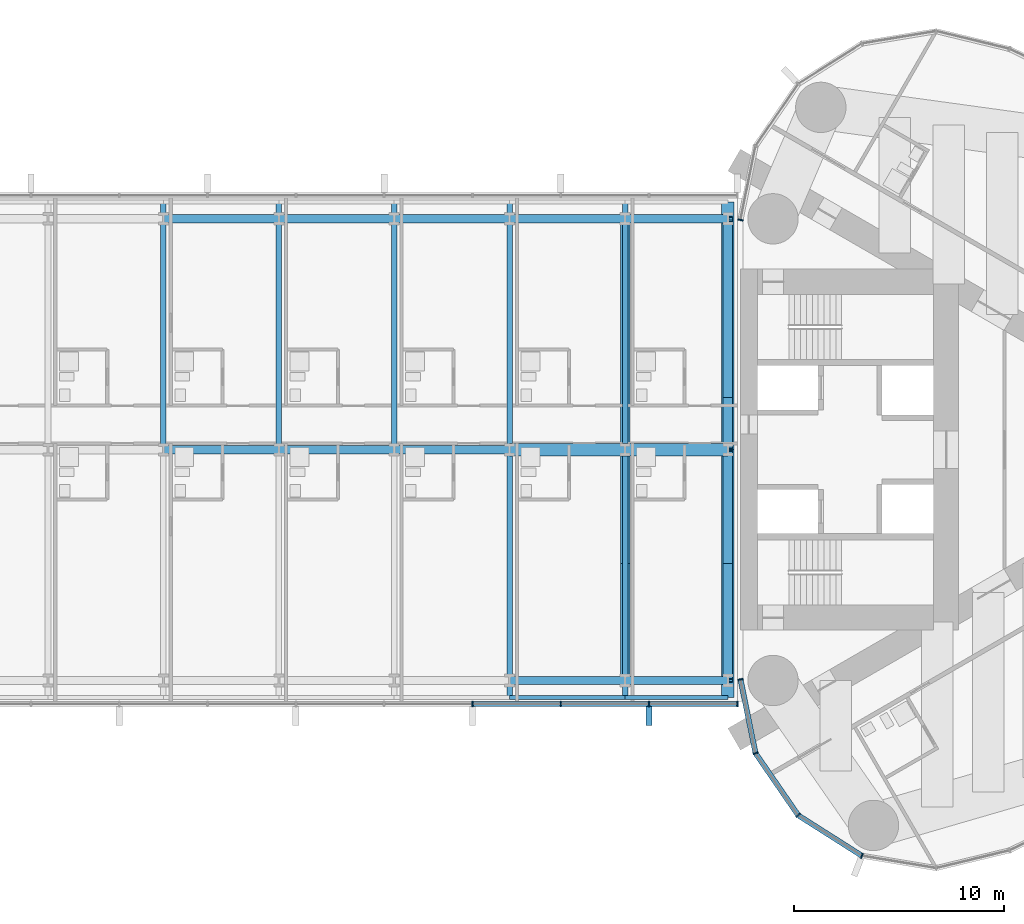
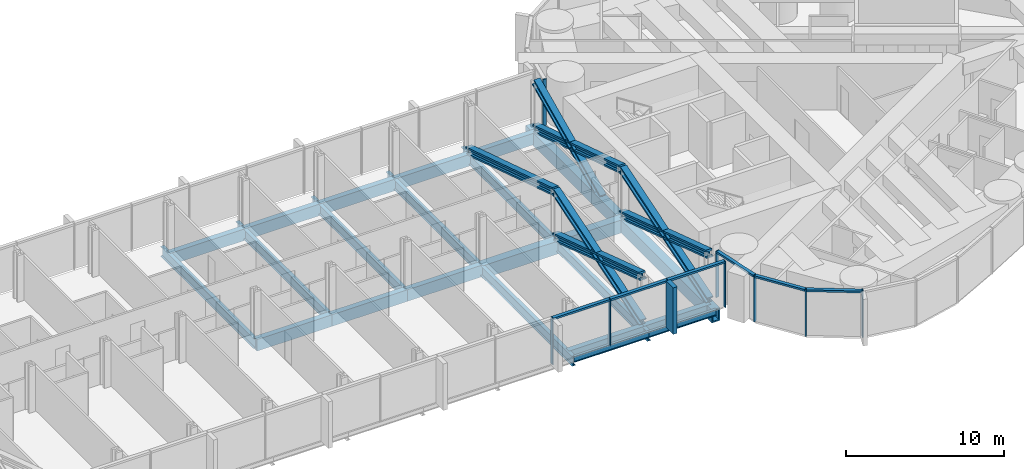
# One storey, part 7 of 23: 23 beams, 23 members, 2 elements without a shape of their own.
"""IFC4 building model written with IfcOpenShell, lengths in metres."""

import ifcopenshell
import ifcopenshell.guid

model = None  # the IFC model being written
_history = None  # IfcOwnerHistory: only IFC2X3 demands one
_inside = {}  # id of a spatial element -> (the spatial element, [elements in it])
_under = {}  # id of a project, library or spatial element -> (it, [spatial elements below it])
_declared = {}  # id of a project -> (the project, [libraries it declares])
_typed = {}  # id of a type object -> (the type object, [elements of that type])
_made_of = {}  # id of a material, layer set ... -> (it, [elements and type objects made of it])


def new_model(schema):
    """Start an empty IFC model of exactly this schema.

    Asked for "IFC4X3", IfcOpenShell would pick the latest addendum, in which some entities
    have other attributes; the version numbers below select the first issue.
    IFC2X3 requires an IfcOwnerHistory on every rooted entity: one is made here for all.
    """
    global model, _history
    if schema == "IFC4X3":
        model = ifcopenshell.file(schema_version=(4, 3, 0, 0))
    else:
        model = ifcopenshell.file(schema=schema)
    _inside.clear()
    _under.clear()
    _declared.clear()
    _typed.clear()
    _made_of.clear()
    _history = None
    if model.schema == "IFC2X3":
        org = make("IfcOrganization", Name="unknown")
        user = make(
            "IfcPersonAndOrganization",
            ThePerson=make("IfcPerson", FamilyName="unknown"),
            TheOrganization=org,
        )
        app = make(
            "IfcApplication",
            ApplicationDeveloper=org,
            Version="unknown",
            ApplicationFullName="unknown",
            ApplicationIdentifier="unknown",
        )
        _history = make(
            "IfcOwnerHistory",
            OwningUser=user,
            OwningApplication=app,
            ChangeAction="ADDED",
            CreationDate=0,
        )
    return model


def make(cls, **values):
    """One entity of the class cls with the attributes given. An attribute that is None is left unset."""
    return model.create_entity(
        cls, **{name: value for name, value in values.items() if value is not None}
    )


def rooted(cls, **values):
    """An entity with a GlobalId (a new one), such as an element, a storey or a relation."""
    return make(cls, GlobalId=ifcopenshell.guid.new(), OwnerHistory=_history, **values)


def si_unit(unit_type, name, prefix=None):
    """IfcSIUnit, for example si_unit("LENGTHUNIT", "METRE", prefix="MILLI")."""
    return make("IfcSIUnit", UnitType=unit_type, Prefix=prefix, Name=name)


def assignment(units):
    """IfcUnitAssignment: the units of a project."""
    return None if units is None else make("IfcUnitAssignment", Units=units)


def point(xyz):
    """IfcCartesianPoint."""
    return None if xyz is None else make("IfcCartesianPoint", Coordinates=xyz)


def direction(xyz):
    """IfcDirection."""
    return None if xyz is None else make("IfcDirection", DirectionRatios=xyz)


def frame(location, z_axis=None, x_axis=None):
    """IfcAxis2Placement3D, a coordinate frame: its origin and axes. An axis left out is left unset."""
    return make(
        "IfcAxis2Placement3D",
        Location=point(location),
        Axis=direction(z_axis),
        RefDirection=direction(x_axis),
    )


def frame_2d(location, x_axis=None):
    """IfcAxis2Placement2D, a coordinate frame in the plane: its origin and x axis."""
    return make(
        "IfcAxis2Placement2D", Location=point(location), RefDirection=direction(x_axis)
    )


def origin():
    """The frame at (0, 0, 0) with its axes left unset."""
    return frame((0.0, 0.0, 0.0))


def origin_2d():
    """The frame at (0, 0) in the plane with its x axis left unset."""
    return frame_2d((0.0, 0.0))


def place(relative_to, where):
    """IfcLocalPlacement: puts the frame where relative to a parent placement (None: the world)."""
    return make(
        "IfcLocalPlacement", PlacementRelTo=relative_to, RelativePlacement=where
    )


def context(
    kind, dimensions, precision=None, world=None, true_north=None, identifier=None
):
    """IfcGeometricRepresentationContext, for example the 3D "Model" context."""
    return make(
        "IfcGeometricRepresentationContext",
        ContextIdentifier=identifier,
        ContextType=kind,
        CoordinateSpaceDimension=dimensions,
        Precision=precision,
        WorldCoordinateSystem=world,
        TrueNorth=true_north,
    )


def subcontext(parent, identifier, kind, view, scale=None):
    """IfcGeometricRepresentationSubContext, for example "Body" below "Model"."""
    return make(
        "IfcGeometricRepresentationSubContext",
        ContextIdentifier=identifier,
        ContextType=kind,
        ParentContext=parent,
        TargetScale=scale,
        TargetView=view,
    )


def project(units=None, contexts=None):
    """IfcProject with its units and contexts."""
    return rooted(
        "IfcProject",
        Name="project",
        RepresentationContexts=contexts,
        UnitsInContext=assignment(units),
    )


def spatial(cls, under=None, at=None, **own):
    """A site, building, storey or space (cls), placed at a placement, below another one or the project."""
    s = rooted(cls, ObjectPlacement=at, **own)
    if under is not None:
        _under.setdefault(under.id(), (under, []))[1].append(s)
    return s


def profile(cls, at=None, kind="AREA", **sizes):
    """A parametric profile (cls). Its sizes go by their IFC names, for example OverallWidth=200.0."""
    return make(cls, ProfileType=kind, Position=at, **sizes)


def rectangle(**sizes):
    """IfcRectangleProfileDef."""
    return profile("IfcRectangleProfileDef", **sizes)


def hollow_rectangle(**sizes):
    """IfcRectangleHollowProfileDef."""
    return profile("IfcRectangleHollowProfileDef", **sizes)


def i_section(**sizes):
    """IfcIShapeProfileDef."""
    return profile("IfcIShapeProfileDef", **sizes)


def extrude(swept, where, along, depth):
    """IfcExtrudedAreaSolid: the profile swept, set in the frame where, extruded along a direction by depth."""
    return make(
        "IfcExtrudedAreaSolid",
        SweptArea=swept,
        Position=where,
        ExtrudedDirection=direction(along),
        Depth=depth,
    )


def shape(context_of_items, identifier, shape_type, items):
    """IfcShapeRepresentation: the items that make up one representation, for example the "Body"."""
    return make(
        "IfcShapeRepresentation",
        ContextOfItems=context_of_items,
        RepresentationIdentifier=identifier,
        RepresentationType=shape_type,
        Items=items,
    )


def material(Name=None, Category=None):
    """IfcMaterial."""
    return make("IfcMaterial", Name=Name, Category=Category)


def material_profile(
    of_material, cross_section, Name=None, Category=None, Priority=None
):
    """IfcMaterialProfile: a cross section and its material."""
    return make(
        "IfcMaterialProfile",
        Name=Name,
        Material=of_material,
        Profile=cross_section,
        Priority=Priority,
        Category=Category,
    )


def profile_set(profiles, Name=None, composite=None):
    """IfcMaterialProfileSet."""
    return make(
        "IfcMaterialProfileSet",
        Name=Name,
        MaterialProfiles=profiles,
        CompositeProfile=composite,
    )


def made_of(thing, what):
    """Note that an element or type object is made of a material, layer set ...; save() writes the relation."""
    if what is not None:
        _made_of.setdefault(what.id(), (what, []))[1].append(thing)
    return thing


def type_object(cls, material=None, **own):
    """A type object (cls), such as IfcWallType, which elements share."""
    return made_of(rooted(cls, **own), material)


def element(
    cls,
    number,
    at=None,
    inside=None,
    cuts=None,
    type_object=None,
    material=None,
    context=None,
    identifier="Body",
    shape_type=None,
    held_by="IfcProductDefinitionShape",
    body=None,
    shapes=None,
    **own,
):
    """One element of the class cls, such as IfcWall. Its Tag is "e" and its number.

    at: its placement. inside: the storey or other place that contains it. cuts: it is an
    opening in that element (IfcRelVoidsElement). A single representation is given by context,
    identifier, shape_type and body (its items); several are given by shapes. held_by: the class
    of the entity that holds the representations. save() writes the other relations.
    """
    e = rooted(cls, Tag="e%d" % number, ObjectPlacement=at, **own)
    if body is not None:
        shapes = [shape(context, identifier, shape_type, body)]
    if shapes is not None:
        e.Representation = make(held_by, Representations=shapes)
    if inside is not None:
        _inside.setdefault(inside.id(), (inside, []))[1].append(e)
    if cuts is not None:
        rooted(
            "IfcRelVoidsElement", RelatingBuildingElement=cuts, RelatedOpeningElement=e
        )
    if type_object is not None:
        _typed.setdefault(type_object.id(), (type_object, []))[1].append(e)
    return made_of(e, material)


def aggregate(whole, parts):
    """IfcRelAggregates: a whole, such as a stair, and the parts it consists of."""
    return rooted("IfcRelAggregates", RelatingObject=whole, RelatedObjects=parts)


def save(model, path):
    """Write the relations noted so far, then the file.

    IfcRelAggregates (storeys below a building ...), IfcRelContainedInSpatialStructure (elements
    in a storey), IfcRelDefinesByType, IfcRelAssociatesMaterial and IfcRelDeclares: one each for
    every whole, place, type object, material and project.
    """
    for whole, parts in _under.values():
        aggregate(whole, parts)
    for where, things in _inside.values():
        rooted(
            "IfcRelContainedInSpatialStructure",
            RelatedElements=things,
            RelatingStructure=where,
        )
    for kind, things in _typed.values():
        rooted("IfcRelDefinesByType", RelatedObjects=things, RelatingType=kind)
    for what, things in _made_of.values():
        rooted("IfcRelAssociatesMaterial", RelatedObjects=things, RelatingMaterial=what)
    for by, libraries in _declared.values():
        rooted("IfcRelDeclares", RelatingContext=by, RelatedDefinitions=libraries)
    model.write(path)


model = new_model("IFC4")

# Units and contexts
model_context = context("Model", 3, precision=1e-05, world=origin(), true_north=direction((0.0, 1.0)))
body_context = subcontext(model_context, "Body", "Model", "MODEL_VIEW")
ifc_project = project(units=[si_unit("LENGTHUNIT", "METRE"), si_unit("AREAUNIT", "SQUARE_METRE"), si_unit("VOLUMEUNIT", "CUBIC_METRE"), si_unit("PLANEANGLEUNIT", "RADIAN"), si_unit("MASSUNIT", "GRAM", prefix="KILO")], contexts=[model_context])

# Site, building, storey
site_placement = place(None, origin())
site = spatial("IfcSite", under=ifc_project, at=site_placement, CompositionType="ELEMENT")
building_placement = place(site_placement, origin())
building = spatial("IfcBuilding", under=site, at=building_placement, Name="Lancet Gate Hotel", CompositionType="ELEMENT")
storey_placement = place(building_placement, frame((0.0, 0.0, 222.5)))
storey = spatial("IfcBuildingStorey", under=building, at=storey_placement, Name="L59", CompositionType="ELEMENT", Elevation=222.5)

# Curtain wall, members
ifc_material_1 = material(Name="Aluminium curtain wall", Category="aluminium")
curtain_wall_type_1 = type_object("IfcCurtainWallType", Name="Tower unitised curtain wall", PredefinedType="USERDEFINED", material=ifc_material_1)
curtain_wall_1_placement = place(storey_placement, origin())
curtain_wall_1 = element("IfcCurtainWall", 1, at=curtain_wall_1_placement, inside=storey, type_object=curtain_wall_type_1, Name="T2 L59 curtain wall 1", ObjectType="UNITISED CURTAIN WALL", PredefinedType="USERDEFINED")
ifc_material_2 = material(Name="Aluminium mullion", Category="aluminium")
ifc_material_profile_1 = material_profile(ifc_material_2, rectangle(XDim=0.06494140625, YDim=0.25, at=origin_2d()), Name="MULLION 65x250")
ifc_profile_set_1 = profile_set([ifc_material_profile_1], Name="Aluminium mullion")
member_type_1 = type_object("IfcMemberType", Name="Aluminium mullion 65x250", PredefinedType="MULLION", material=ifc_profile_set_1)
member_1_placement = place(storey_placement, frame((27.5, -10.947998046875, 0.0), z_axis=(0.0, 0.0, 1.0), x_axis=(0.199533486841, -0.979891008036, 0.0)))
member_1 = element("IfcMember", 2, at=member_1_placement, type_object=member_type_1, Name="T2 L59 curtain wall 1 mullion 1", PredefinedType="MULLION", context=body_context, shape_type="SweptSolid", body=[
    extrude(rectangle(XDim=0.06494140625, YDim=0.25, at=origin_2d()), origin(), (0.0, 0.0, 1.0), 3.60009765625),
])
member_2_placement = place(storey_placement, frame((28.216552734375, -14.467529296875, 0.0), z_axis=(0.0, 0.0, 1.0), x_axis=(0.391042139098, -0.920372775265, 0.0)))
member_2 = element("IfcMember", 3, at=member_2_placement, type_object=member_type_1, Name="T2 L59 curtain wall 1 mullion 2", PredefinedType="MULLION", context=body_context, shape_type="SweptSolid", body=[
    extrude(rectangle(XDim=0.06494140625, YDim=0.25, at=origin_2d()), origin(), (0.0, 0.0, 1.0), 3.60009765625),
])
member_3_placement = place(storey_placement, frame((30.25244140625, -17.42626953125, 0.0), z_axis=(0.0, 0.0, 1.0), x_axis=(0.719809077627, -0.694172090886, 0.0)))
member_3 = element("IfcMember", 4, at=member_3_placement, type_object=member_type_1, Name="T2 L59 curtain wall 1 mullion 3", PredefinedType="MULLION", context=body_context, shape_type="SweptSolid", body=[
    extrude(rectangle(XDim=0.06494140625, YDim=0.25, at=origin_2d()), origin(), (0.0, 0.0, 1.0), 3.60009765625),
])
member_4_placement = place(storey_placement, frame((33.283203125, -19.353515625, 0.0), z_axis=(0.0, 0.0, 1.0), x_axis=(0.93394321776, -0.357421412343, 0.0)))
member_4 = element("IfcMember", 5, at=member_4_placement, type_object=member_type_1, Name="T2 L59 curtain wall 1 mullion 4", PredefinedType="MULLION", context=body_context, shape_type="SweptSolid", body=[
    extrude(rectangle(XDim=0.06494140625, YDim=0.25, at=origin_2d()), origin(), (0.0, 0.0, 1.0), 3.60009765625),
])
member_5_placement = place(storey_placement, frame((27.5, 10.947998046875, 0.0), z_axis=(0.0, 0.0, 1.0), x_axis=(-0.199533486841, -0.979891008036, 0.0)))
member_5 = element("IfcMember", 6, at=member_5_placement, type_object=member_type_1, Name="T2 L59 curtain wall 1 mullion 27", PredefinedType="MULLION", context=body_context, shape_type="SweptSolid", body=[
    extrude(rectangle(XDim=0.06494140625, YDim=0.25, at=origin_2d()), origin(), (0.0, 0.0, 1.0), 3.60009765625),
])

ifc_material_3 = material(Name="Aluminium curtain wall", Category="aluminium")
curtain_wall_type_2 = type_object("IfcCurtainWallType", Name="Bridge block curtain wall", PredefinedType="USERDEFINED", material=ifc_material_3)
curtain_wall_2_placement = place(storey_placement, origin())
curtain_wall_2 = element("IfcCurtainWall", 7, at=curtain_wall_2_placement, inside=storey, type_object=curtain_wall_type_2, Name="Bridge block L59 curtain wall S", ObjectType="UNITISED CURTAIN WALL", PredefinedType="USERDEFINED")
member_6_placement = place(storey_placement, frame((14.726806640625, -12.1201171875, 0.0), z_axis=(0.0, 0.0, 1.0), x_axis=(1.0, 0.0, 0.0)))
member_6 = element("IfcMember", 8, at=member_6_placement, type_object=member_type_1, Name="Bridge block L59 curtain wall S mullion 11", PredefinedType="MULLION", context=body_context, shape_type="SweptSolid", body=[
    extrude(rectangle(XDim=0.06494140625, YDim=0.25, at=origin_2d()), origin(), (0.0, 0.0, 1.0), 3.60009765625),
])
member_7_placement = place(storey_placement, frame((18.9345703125, -12.1201171875, 0.0), z_axis=(0.0, 0.0, 1.0), x_axis=(1.0, 0.0, 0.0)))
member_7 = element("IfcMember", 9, at=member_7_placement, type_object=member_type_1, Name="Bridge block L59 curtain wall S mullion 12", PredefinedType="MULLION", context=body_context, shape_type="SweptSolid", body=[
    extrude(rectangle(XDim=0.06494140625, YDim=0.25, at=origin_2d()), origin(), (0.0, 0.0, 1.0), 3.60009765625),
])
member_8_placement = place(storey_placement, frame((23.142333984375, -12.1201171875, 0.0), z_axis=(0.0, 0.0, 1.0), x_axis=(1.0, 0.0, 0.0)))
member_8 = element("IfcMember", 10, at=member_8_placement, type_object=member_type_1, Name="Bridge block L59 curtain wall S mullion 13", PredefinedType="MULLION", context=body_context, shape_type="SweptSolid", body=[
    extrude(rectangle(XDim=0.06494140625, YDim=0.25, at=origin_2d()), origin(), (0.0, 0.0, 1.0), 3.60009765625),
])
member_9_placement = place(storey_placement, frame((27.35009765625, -12.1201171875, 0.0), z_axis=(0.0, 0.0, 1.0), x_axis=(1.0, 0.0, 0.0)))
member_9 = element("IfcMember", 11, at=member_9_placement, type_object=member_type_1, Name="Bridge block L59 curtain wall S mullion 14", PredefinedType="MULLION", context=body_context, shape_type="SweptSolid", body=[
    extrude(rectangle(XDim=0.06494140625, YDim=0.25, at=origin_2d()), origin(), (0.0, 0.0, 1.0), 3.60009765625),
])

# Member
ifc_material_4 = material(Name="Aluminium transom", Category="aluminium")
ifc_material_profile_2 = material_profile(ifc_material_4, rectangle(XDim=0.25, YDim=0.14990234375, at=origin_2d()), Name="TRANSOM 250x150")
ifc_profile_set_2 = profile_set([ifc_material_profile_2], Name="Aluminium transom")
member_type_2 = type_object("IfcMemberType", Name="Aluminium transom 250x150", PredefinedType="USERDEFINED", material=ifc_profile_set_2)
member_10_placement = place(storey_placement, frame((27.506591796875, -10.97998046875, 3.52490234375), z_axis=(0.19952323725, -0.979893095086, 0.0), x_axis=(0.979893095086, 0.19952323725, 0.0)))
member_10 = element("IfcMember", 12, at=member_10_placement, type_object=member_type_2, Name="T2 L59 curtain wall 1 transom 1", ObjectType="TRANSOM", PredefinedType="USERDEFINED", context=body_context, shape_type="SweptSolid", body=[
    extrude(rectangle(XDim=0.25, YDim=0.14990234375, at=origin_2d()), origin(), (0.0, 0.0, 1.0), 3.5263671875),
])

member_11_placement = place(storey_placement, frame((28.235107421875, -14.494140625, 3.52490234375), z_axis=(0.566813768052, -0.82384595183, 0.0), x_axis=(0.82384595183, 0.566813768052, 0.0)))
member_11 = element("IfcMember", 13, at=member_11_placement, type_object=member_type_2, Name="T2 L59 curtain wall 1 transom 2", ObjectType="TRANSOM", PredefinedType="USERDEFINED", context=body_context, shape_type="SweptSolid", body=[
    extrude(rectangle(XDim=0.25, YDim=0.14990234375, at=origin_2d()), origin(), (0.0, 0.0, 1.0), 3.52685546875),
])

member_12_placement = place(storey_placement, frame((30.27978515625, -17.44384765625, 3.52490234375), z_axis=(0.84385811281, -0.536566384938, 0.0), x_axis=(0.536566384938, 0.84385811281, 0.0)))
member_12 = element("IfcMember", 14, at=member_12_placement, type_object=member_type_2, Name="T2 L59 curtain wall 1 transom 3", ObjectType="TRANSOM", PredefinedType="USERDEFINED", context=body_context, shape_type="SweptSolid", body=[
    extrude(rectangle(XDim=0.25, YDim=0.14990234375, at=origin_2d()), origin(), (0.0, 0.0, 1.0), 3.52685546875),
])

aggregate(curtain_wall_1, [member_1, member_2, member_3, member_4, member_5, member_10, member_11, member_12])

member_13_placement = place(storey_placement, frame((14.759521484375, -12.1201171875, 3.52490234375), z_axis=(1.0, 0.0, 0.0), x_axis=(0.0, 1.0, 0.0)))
member_13 = element("IfcMember", 15, at=member_13_placement, type_object=member_type_2, Name="Bridge block L59 curtain wall S transom 11", ObjectType="TRANSOM", PredefinedType="USERDEFINED", context=body_context, shape_type="SweptSolid", body=[
    extrude(rectangle(XDim=0.25, YDim=0.14990234375, at=origin_2d()), origin(), (0.0, 0.0, 1.0), 4.142578125),
])

member_14_placement = place(storey_placement, frame((18.967041015625, -12.1201171875, 3.52490234375), z_axis=(1.0, 0.0, 0.0), x_axis=(0.0, 1.0, 0.0)))
member_14 = element("IfcMember", 16, at=member_14_placement, type_object=member_type_2, Name="Bridge block L59 curtain wall S transom 12", ObjectType="TRANSOM", PredefinedType="USERDEFINED", context=body_context, shape_type="SweptSolid", body=[
    extrude(rectangle(XDim=0.25, YDim=0.14990234375, at=origin_2d()), origin(), (0.0, 0.0, 1.0), 4.142822265625),
])

member_15_placement = place(storey_placement, frame((23.1748046875, -12.1201171875, 3.52490234375), z_axis=(1.0, 0.0, 0.0), x_axis=(0.0, 1.0, 0.0)))
member_15 = element("IfcMember", 17, at=member_15_placement, type_object=member_type_2, Name="Bridge block L59 curtain wall S transom 13", ObjectType="TRANSOM", PredefinedType="USERDEFINED", context=body_context, shape_type="SweptSolid", body=[
    extrude(rectangle(XDim=0.25, YDim=0.14990234375, at=origin_2d()), origin(), (0.0, 0.0, 1.0), 4.142578125),
])

# Members
ifc_material_5 = material(Name="Steel S460", Category="steel")
ifc_material_profile_3 = material_profile(ifc_material_5, i_section(OverallWidth=0.4541015625, OverallDepth=0.569091796875, WebThickness=0.077880859375, FlangeThickness=0.125, FilletRadius=0.02001953125, at=origin_2d()), Name="HD 400x1086")
ifc_profile_set_3 = profile_set([ifc_material_profile_3], Name="Steel S460")
member_type_3 = type_object("IfcMemberType", Name="Block brace HD 400x1086", PredefinedType="BRACE", material=ifc_profile_set_3)
member_16_placement = place(storey_placement, frame((26.89990234375, -11.0, 0.0), z_axis=(0.0, 0.952925780013, 0.303203657277), x_axis=(-1.0, 0.0, 0.0)))
element("IfcMember", 18, at=member_16_placement, inside=storey, type_object=member_type_3, Name="Block brace EY11 L59", PredefinedType="BRACE", context=body_context, shape_type="SweptSolid", body=[
    extrude(i_section(OverallWidth=0.4541015625, OverallDepth=0.569091796875, WebThickness=0.077880859375, FlangeThickness=0.125, FilletRadius=0.02001953125, at=origin_2d()), origin(), (0.0, 0.0, 1.0), 11.54345703125),
])
member_17_placement = place(storey_placement, frame((26.89990234375, 0.0, 0.0), z_axis=(0.0, -0.950394634814, 0.311046681573), x_axis=(1.0, 0.0, 0.0)))
element("IfcMember", 19, at=member_17_placement, inside=storey, type_object=member_type_3, Name="Block brace EY12 L59", PredefinedType="BRACE", context=body_context, shape_type="SweptSolid", body=[
    extrude(i_section(OverallWidth=0.4541015625, OverallDepth=0.569091796875, WebThickness=0.077880859375, FlangeThickness=0.125, FilletRadius=0.02001953125, at=origin_2d()), origin(), (0.0, 0.0, 1.0), 11.57421875),
])
for number, where, z_axis, x_axis, name in (
    (20, (26.89990234375, 11.0, 0.0), (0.0, -0.952925780013, 0.303203657277), (1.0, 0.0, 0.0), "Block brace EY22 L59"),
    (21, (22.0, -11.0, 0.0), (0.0, 0.952925780013, 0.303203657277), (-1.0, 0.0, 0.0), "Block brace EI11 L59"),
):
    element("IfcMember", number, at=place(storey_placement, frame(where, z_axis=z_axis, x_axis=x_axis)), inside=storey, type_object=member_type_3, Name=name, PredefinedType="BRACE", context=body_context, shape_type="SweptSolid", body=[
        extrude(i_section(OverallWidth=0.4541015625, OverallDepth=0.569091796875, WebThickness=0.077880859375, FlangeThickness=0.125, FilletRadius=0.02001953125, at=origin_2d()), origin(), (0.0, 0.0, 1.0), 11.54345703125),
    ])
member_18_placement = place(storey_placement, frame((22.0, 0.0, 0.0), z_axis=(0.0, -0.950394634814, 0.311046681573), x_axis=(1.0, 0.0, 0.0)))
element("IfcMember", 22, at=member_18_placement, inside=storey, type_object=member_type_3, Name="Block brace EI12 L59", PredefinedType="BRACE", context=body_context, shape_type="SweptSolid", body=[
    extrude(i_section(OverallWidth=0.4541015625, OverallDepth=0.569091796875, WebThickness=0.077880859375, FlangeThickness=0.125, FilletRadius=0.02001953125, at=origin_2d()), origin(), (0.0, 0.0, 1.0), 11.57421875),
])
member_19_placement = place(storey_placement, frame((22.0, 11.0, 0.0), z_axis=(0.0, -0.952925780013, 0.303203657277), x_axis=(1.0, 0.0, 0.0)))
element("IfcMember", 23, at=member_19_placement, inside=storey, type_object=member_type_3, Name="Block brace EI22 L59", PredefinedType="BRACE", context=body_context, shape_type="SweptSolid", body=[
    extrude(i_section(OverallWidth=0.4541015625, OverallDepth=0.569091796875, WebThickness=0.077880859375, FlangeThickness=0.125, FilletRadius=0.02001953125, at=origin_2d()), origin(), (0.0, 0.0, 1.0), 11.54345703125),
])
member_20_placement = place(storey_placement, frame((26.89990234375, 2.60009765625, -0.300048828125), z_axis=(0.0, 0.907001056309, 0.42112834606), x_axis=(-1.0, 0.0, 0.0)))
element("IfcMember", 24, at=member_20_placement, inside=storey, type_object=member_type_3, Name="Block brace EY23 L59", PredefinedType="BRACE", context=body_context, shape_type="SweptSolid", body=[
    extrude(i_section(OverallWidth=0.4541015625, OverallDepth=0.569091796875, WebThickness=0.077880859375, FlangeThickness=0.125, FilletRadius=0.02001953125, at=origin_2d()), origin(), (0.0, 0.0, 1.0), 9.26123046875),
])

# Beams
ifc_material_6 = material(Name="Steel S355", Category="steel")
ifc_material_profile_4 = material_profile(ifc_material_6, i_section(OverallWidth=0.19140625, OverallDepth=0.4599609375, WebThickness=0.010009765625, FlangeThickness=0.01611328125, FilletRadius=0.01025390625, at=origin_2d()), Name="UKB 457x191x82")
ifc_profile_set_4 = profile_set([ifc_material_profile_4], Name="Steel S355")
beam_type_1 = type_object("IfcBeamType", Name="Block edge beam UKB 457x191x82", PredefinedType="SPANDREL", material=ifc_profile_set_4)
beam_1_placement = place(storey_placement, frame((16.5, -11.800048828125, -0.429931640625), z_axis=(1.0, 0.0, 0.0), x_axis=(0.0, 1.0, 0.0)))
element("IfcBeam", 25, at=beam_1_placement, inside=storey, type_object=beam_type_1, Name="Block edge beam S 8-9 L59", PredefinedType="SPANDREL", context=body_context, shape_type="SweptSolid", body=[
    extrude(i_section(OverallWidth=0.19140625, OverallDepth=0.4599609375, WebThickness=0.010009765625, FlangeThickness=0.01611328125, FilletRadius=0.01025390625, at=origin_2d()), origin(), (0.0, 0.0, 1.0), 5.5),
])
beam_2_placement = place(storey_placement, frame((22.0, -11.800048828125, -0.429931640625), z_axis=(1.0, 0.0, 0.0), x_axis=(0.0, 1.0, 0.0)))
element("IfcBeam", 26, at=beam_2_placement, inside=storey, type_object=beam_type_1, Name="Block edge beam S 9-10 L59", PredefinedType="SPANDREL", context=body_context, shape_type="SweptSolid", body=[
    extrude(i_section(OverallWidth=0.19140625, OverallDepth=0.4599609375, WebThickness=0.010009765625, FlangeThickness=0.01611328125, FilletRadius=0.01025390625, at=origin_2d()), origin(), (0.0, 0.0, 1.0), 4.89990234375),
])
ifc_material_7 = material(Name="Steel S460QL", Category="steel")
ifc_material_profile_5 = material_profile(ifc_material_7, hollow_rectangle(XDim=0.60009765625, YDim=1.0, WallThickness=0.10009765625, at=origin_2d()), Name="BOX 1000x600x100")
ifc_profile_set_5 = profile_set([ifc_material_profile_5], Name="Steel S460QL")
beam_type_2 = type_object("IfcBeamType", Name="Block end beam BOX 1000x600x100", PredefinedType="BEAM", material=ifc_profile_set_5)
for number, where, z_axis, x_axis, name in (
    (27, (26.89990234375, -11.800048828125, -0.699951171875), (0.0, 1.0, 0.0), (-1.0, 0.0, 0.0), "Block beam x10 S L59"),
    (28, (26.89990234375, 0.0, -0.699951171875), (0.0, 1.0, 0.0), (-1.0, 0.0, 0.0), "Block beam x10 N L59"),
):
    element("IfcBeam", number, at=place(storey_placement, frame(where, z_axis=z_axis, x_axis=x_axis)), inside=storey, type_object=beam_type_2, Name=name, PredefinedType="BEAM", context=body_context, shape_type="SweptSolid", body=[
        extrude(hollow_rectangle(XDim=0.60009765625, YDim=1.0, WallThickness=0.10009765625, at=origin_2d()), origin(), (0.0, 0.0, 1.0), 11.800048828125),
    ])
ifc_material_8 = material(Name="Steel S460QL", Category="steel")
ifc_material_profile_6 = material_profile(ifc_material_8, hollow_rectangle(XDim=0.60009765625, YDim=1.0, WallThickness=0.080078125, at=origin_2d()), Name="BOX 1000x600x80")
ifc_profile_set_6 = profile_set([ifc_material_profile_6], Name="Steel S460QL")
beam_type_3 = type_object("IfcBeamType", Name="Block primary beam BOX 1000x600x80", PredefinedType="BEAM", material=ifc_profile_set_6)
beam_3_placement = place(storey_placement, frame((16.5, 0.0, -0.699951171875), z_axis=(1.0, 0.0, 0.0), x_axis=(0.0, 1.0, 0.0)))
element("IfcBeam", 29, at=beam_3_placement, inside=storey, type_object=beam_type_3, Name="Block primary beam M 9 L59", PredefinedType="BEAM", context=body_context, shape_type="SweptSolid", body=[
    extrude(hollow_rectangle(XDim=0.60009765625, YDim=1.0, WallThickness=0.080078125, at=origin_2d()), origin(), (0.0, 0.0, 1.0), 5.5),
])
beam_4_placement = place(storey_placement, frame((22.0, 0.0, -0.699951171875), z_axis=(1.0, 0.0, 0.0), x_axis=(0.0, 1.0, 0.0)))
element("IfcBeam", 30, at=beam_4_placement, inside=storey, type_object=beam_type_3, Name="Block primary beam M 10 L59", PredefinedType="BEAM", context=body_context, shape_type="SweptSolid", body=[
    extrude(hollow_rectangle(XDim=0.60009765625, YDim=1.0, WallThickness=0.080078125, at=origin_2d()), origin(), (0.0, 0.0, 1.0), 4.89990234375),
])
ifc_material_9 = material(Name="Steel S355", Category="steel")
ifc_material_profile_7 = material_profile(ifc_material_9, hollow_rectangle(XDim=0.39990234375, YDim=0.89990234375, WallThickness=0.0400390625, at=origin_2d()), Name="BOX 900x400x40")
ifc_profile_set_7 = profile_set([ifc_material_profile_7], Name="Steel S355")
beam_type_4 = type_object("IfcBeamType", Name="Block primary beam BOX 900x400x40", PredefinedType="BEAM", material=ifc_profile_set_7)
beam_5_placement = place(storey_placement, frame((16.5, -11.0, -0.64990234375), z_axis=(1.0, 0.0, 0.0), x_axis=(0.0, 1.0, 0.0)))
element("IfcBeam", 31, at=beam_5_placement, inside=storey, type_object=beam_type_4, Name="Block primary beam S 9 L59", PredefinedType="BEAM", context=body_context, shape_type="SweptSolid", body=[
    extrude(hollow_rectangle(XDim=0.39990234375, YDim=0.89990234375, WallThickness=0.0400390625, at=origin_2d()), origin(), (0.0, 0.0, 1.0), 5.5),
])
beam_6_placement = place(storey_placement, frame((22.0, -11.0, -0.64990234375), z_axis=(1.0, 0.0, 0.0), x_axis=(0.0, 1.0, 0.0)))
element("IfcBeam", 32, at=beam_6_placement, inside=storey, type_object=beam_type_4, Name="Block primary beam S 10 L59", PredefinedType="BEAM", context=body_context, shape_type="SweptSolid", body=[
    extrude(hollow_rectangle(XDim=0.39990234375, YDim=0.89990234375, WallThickness=0.0400390625, at=origin_2d()), origin(), (0.0, 0.0, 1.0), 4.89990234375),
])
for number, where, z_axis, x_axis, name in (
    (33, (0.0, 0.0, -0.64990234375), (1.0, 0.0, 0.0), (0.0, 1.0, 0.0), "Block primary beam M 6 L59"),
    (34, (5.5, 0.0, -0.64990234375), (1.0, 0.0, 0.0), (0.0, 1.0, 0.0), "Block primary beam M 7 L59"),
    (35, (11.0, 0.0, -0.64990234375), (1.0, 0.0, 0.0), (0.0, 1.0, 0.0), "Block primary beam M 8 L59"),
    (36, (0.0, 11.0, -0.64990234375), (1.0, 0.0, 0.0), (0.0, 1.0, 0.0), "Block primary beam N 6 L59"),
    (37, (5.5, 11.0, -0.64990234375), (1.0, 0.0, 0.0), (0.0, 1.0, 0.0), "Block primary beam N 7 L59"),
    (38, (11.0, 11.0, -0.64990234375), (1.0, 0.0, 0.0), (0.0, 1.0, 0.0), "Block primary beam N 8 L59"),
    (39, (16.5, 11.0, -0.64990234375), (1.0, 0.0, 0.0), (0.0, 1.0, 0.0), "Block primary beam N 9 L59"),
):
    element("IfcBeam", number, at=place(storey_placement, frame(where, z_axis=z_axis, x_axis=x_axis)), inside=storey, type_object=beam_type_4, Name=name, PredefinedType="BEAM", context=body_context, shape_type="SweptSolid", body=[
        extrude(hollow_rectangle(XDim=0.39990234375, YDim=0.89990234375, WallThickness=0.0400390625, at=origin_2d()), origin(), (0.0, 0.0, 1.0), 5.5),
    ])
beam_7_placement = place(storey_placement, frame((22.0, 11.0, -0.64990234375), z_axis=(1.0, 0.0, 0.0), x_axis=(0.0, 1.0, 0.0)))
element("IfcBeam", 40, at=beam_7_placement, inside=storey, type_object=beam_type_4, Name="Block primary beam N 10 L59", PredefinedType="BEAM", context=body_context, shape_type="SweptSolid", body=[
    extrude(hollow_rectangle(XDim=0.39990234375, YDim=0.89990234375, WallThickness=0.0400390625, at=origin_2d()), origin(), (0.0, 0.0, 1.0), 4.89990234375),
])
ifc_material_10 = material(Name="Steel S355", Category="steel")
ifc_material_profile_8 = material_profile(ifc_material_10, i_section(OverallWidth=0.26806640625, OverallDepth=0.769775390625, WebThickness=0.015625, FlangeThickness=0.025390625, FilletRadius=0.0166015625, at=origin_2d()), Name="UKB 762x267x197")
ifc_profile_set_8 = profile_set([ifc_material_profile_8], Name="Steel S355")
beam_type_5 = type_object("IfcBeamType", Name="Block secondary beam UKB 762x267x197", PredefinedType="JOIST", material=ifc_profile_set_8)
for number, where, z_axis, x_axis, name in (
    (41, (0.0, 0.0, -0.5849609375), (0.0, 1.0, 0.0), (-1.0, 0.0, 0.0), "Block beam x5 N L59"),
    (42, (5.5, 0.0, -0.5849609375), (0.0, 1.0, 0.0), (-1.0, 0.0, 0.0), "Block beam x6 N L59"),
    (43, (11.0, 0.0, -0.5849609375), (0.0, 1.0, 0.0), (-1.0, 0.0, 0.0), "Block beam x7 N L59"),
    (44, (16.5, -11.800048828125, -0.5849609375), (0.0, 1.0, 0.0), (-1.0, 0.0, 0.0), "Block beam x8 S L59"),
    (45, (16.5, 0.0, -0.5849609375), (0.0, 1.0, 0.0), (-1.0, 0.0, 0.0), "Block beam x8 N L59"),
    (46, (22.0, -11.800048828125, -0.5849609375), (0.0, 1.0, 0.0), (-1.0, 0.0, 0.0), "Block beam x9 S L59"),
    (47, (22.0, 0.0, -0.5849609375), (0.0, 1.0, 0.0), (-1.0, 0.0, 0.0), "Block beam x9 N L59"),
):
    element("IfcBeam", number, at=place(storey_placement, frame(where, z_axis=z_axis, x_axis=x_axis)), inside=storey, type_object=beam_type_5, Name=name, PredefinedType="JOIST", context=body_context, shape_type="SweptSolid", body=[
        extrude(i_section(OverallWidth=0.26806640625, OverallDepth=0.769775390625, WebThickness=0.015625, FlangeThickness=0.025390625, FilletRadius=0.0166015625, at=origin_2d()), origin(), (0.0, 0.0, 1.0), 11.800048828125),
    ])

# Member
ifc_material_11 = material(Name="Precast concrete C50/60", Category="concrete")
ifc_material_profile_9 = material_profile(ifc_material_11, rectangle(XDim=0.300048828125, YDim=0.89990234375, at=origin_2d()), Name="FIN 300x900")
ifc_profile_set_9 = profile_set([ifc_material_profile_9], Name="Precast concrete C50/60")
member_type_4 = type_object("IfcMemberType", Name="Exposed concrete fin 300x900", PredefinedType="USERDEFINED", material=ifc_profile_set_9)
member_21_placement = place(storey_placement, frame((23.142333984375, -12.695068359375, 0.0), z_axis=(0.0, 0.0, 1.0), x_axis=(1.0, 0.0, 0.0)))
member_21 = element("IfcMember", 48, at=member_21_placement, type_object=member_type_4, Name="Bridge block L59 curtain wall S fin 13", ObjectType="FIN", PredefinedType="USERDEFINED", context=body_context, shape_type="SweptSolid", body=[
    extrude(rectangle(XDim=0.300048828125, YDim=0.89990234375, at=origin_2d()), origin(), (0.0, 0.0, 1.0), 3.60009765625),
])

aggregate(curtain_wall_2, [member_6, member_7, member_8, member_21, member_9, member_13, member_14, member_15])

save(model, "model.ifc")
